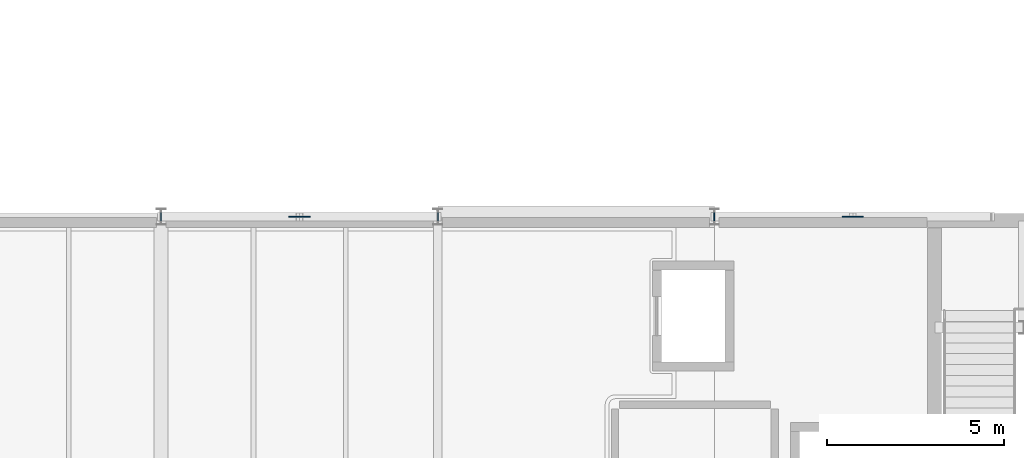
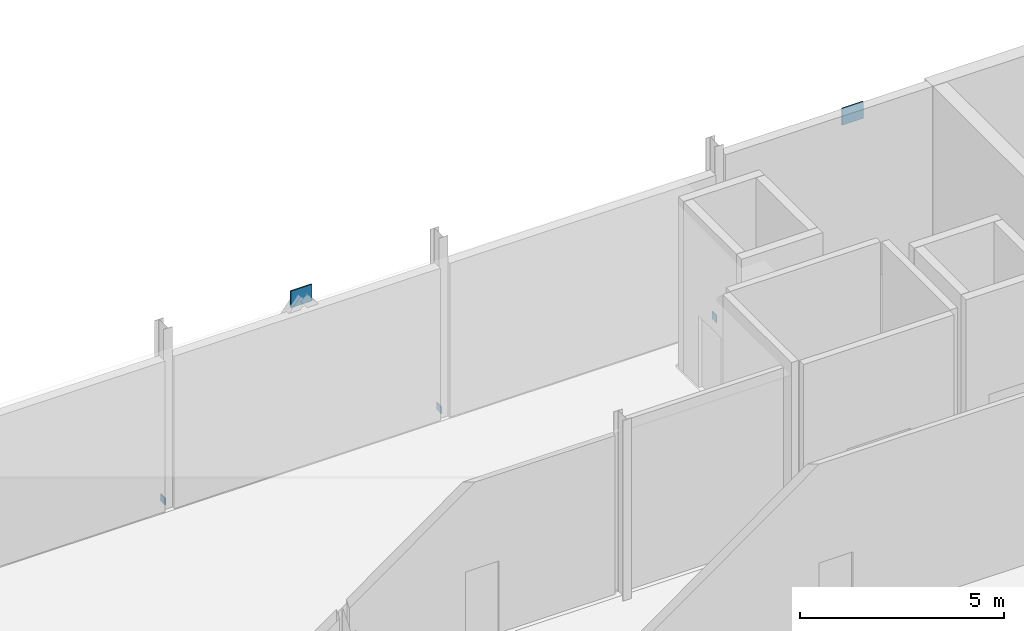
# One storey, part 35 of 57: 5 plates.
"""IFC4 building model written with IfcOpenShell, lengths in metres."""

from ifc_helpers import new_model, si_unit, derived_unit, direction, frame, origin, origin_2d, place, context, subcontext, project, spatial, rectangle, extrude, material, layer, layer_set, type_object, element, save


model = new_model("IFC4")

# Units and contexts
model_context = context("Model", 3, precision=1e-05, world=origin(), true_north=direction((0.0, 1.0)))
body_context = subcontext(model_context, "Body", "Model", "MODEL_VIEW")
ifc_project = project(units=[si_unit("LENGTHUNIT", "METRE"), si_unit("AREAUNIT", "SQUARE_METRE"), si_unit("VOLUMEUNIT", "CUBIC_METRE"), si_unit("PLANEANGLEUNIT", "RADIAN"), si_unit("MASSUNIT", "GRAM", prefix="KILO"), derived_unit("THERMALTRANSMITTANCEUNIT", [(si_unit("POWERUNIT", "WATT"), 1), (si_unit("LENGTHUNIT", "METRE"), -2), (si_unit("THERMODYNAMICTEMPERATUREUNIT", "KELVIN"), -1)])], contexts=[model_context])

# Site, building, storey
site_placement = place(None, origin())
site = spatial("IfcSite", under=ifc_project, at=site_placement, CompositionType="ELEMENT")
building_placement = place(site_placement, origin())
building = spatial("IfcBuilding", under=site, at=building_placement, Name="Nallur Shell Playhouse", CompositionType="ELEMENT")
storey_placement = place(building_placement, origin())
storey = spatial("IfcBuildingStorey", under=building, at=storey_placement, Name="L01", CompositionType="ELEMENT", Elevation=0.0)

# Plates
ifc_material = material(Name="Steel E350", Category="steel")
ifc_layer_1 = layer(ifc_material, 0.02001953125)
ifc_layer_set_1 = layer_set([ifc_layer_1], Name="Steel E350")
plate_type_1 = type_object("IfcPlateType", Name="PT-ENDCAP-20", PredefinedType="SHEET", material=ifc_layer_set_1)
for number, where, z_axis, x_axis, name in (
    (1, (71.793701171875, 83.0, 0.0322265625), (0.0, 0.0, 1.0), (1.0, 0.0, 0.0), "Hollow end cap EC-BR-FT-L01-005-0"),
    (2, (79.6064453125, 83.0, 0.0322265625), (0.0, 0.0, 1.0), (1.0, 0.0, 0.0), "Hollow end cap EC-BR-FT-L01-006-0"),
    (3, (87.3935546875, 83.0, 0.0322265625), (0.0, 0.0, 1.0), (1.0, 0.0, 0.0), "Hollow end cap EC-BR-FT-L01-007-0"),
):
    element("IfcPlate", number, at=place(storey_placement, frame(where, z_axis=z_axis, x_axis=x_axis)), inside=storey, type_object=plate_type_1, Name=name, PredefinedType="SHEET", context=body_context, shape_type="SweptSolid", body=[
        extrude(rectangle(XDim=0.02001953125, YDim=0.219970703125, at=origin_2d()), origin(), (0.0, 0.0, 1.0), 0.219970703125),
    ])
ifc_layer_2 = layer(ifc_material, 0.034912109375)
ifc_layer_set_2 = layer_set([ifc_layer_2], Name="Steel E350")
plate_type_2 = type_object("IfcPlateType", Name="PT-GUSSET-35", PredefinedType="USERDEFINED", material=ifc_layer_set_2)
for number, where, z_axis, x_axis, name in (
    (4, (75.699951171875, 83.0, 4.6201171875), (0.0, 0.0, 1.0), (1.0, 0.0, 0.0), "Fly tower chevron node gusset plate TN-02 (L01)"),
    (5, (91.300048828125, 83.0, 4.6201171875), (0.0, 0.0, 1.0), (1.0, 0.0, 0.0), "Fly tower chevron node gusset plate TN-02 (L01)"),
):
    element("IfcPlate", number, at=place(storey_placement, frame(where, z_axis=z_axis, x_axis=x_axis)), inside=storey, type_object=plate_type_2, Name=name, ObjectType="GUSSET PLATE", PredefinedType="USERDEFINED", context=body_context, shape_type="SweptSolid", body=[
        extrude(rectangle(XDim=0.60009765625, YDim=0.034912109375, at=origin_2d()), origin(), (0.0, 0.0, 1.0), 0.5),
    ])

save(model, "model.ifc")
